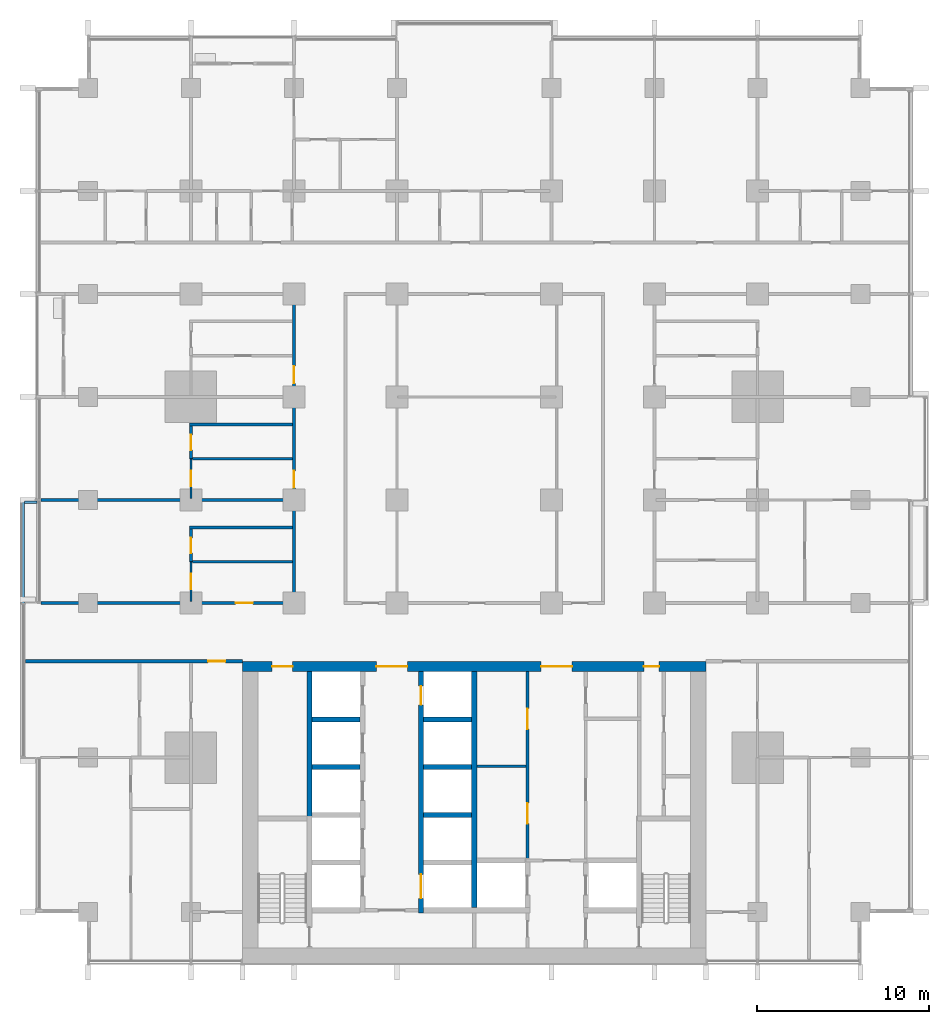
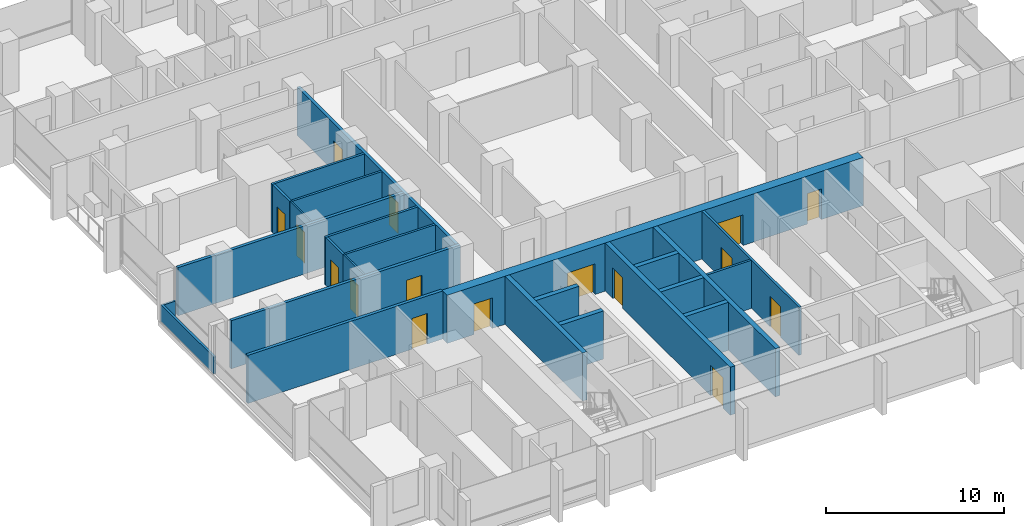
# One storey, part 8 of 17: 25 walls, 16 doors, 16 openings.
"""IFC4 building model written with IfcOpenShell, lengths in metres."""

from ifc_helpers import new_model, si_unit, direction, frame, frame_2d, origin, place, context, subcontext, project, spatial, rectangle, extrude, material, layer, layer_set, type_object, element, fill, save


model = new_model("IFC4")

# Units and contexts
model_context = context("Model", 3, precision=1e-05, world=origin(), true_north=direction((0.0, 1.0)))
body_context = subcontext(model_context, "Body", "Model", "MODEL_VIEW")
ifc_project = project(units=[si_unit("LENGTHUNIT", "METRE"), si_unit("AREAUNIT", "SQUARE_METRE"), si_unit("VOLUMEUNIT", "CUBIC_METRE"), si_unit("PLANEANGLEUNIT", "RADIAN"), si_unit("MASSUNIT", "GRAM", prefix="KILO")], contexts=[model_context])

# Site, building, storey
site_placement = place(None, origin())
site = spatial("IfcSite", under=ifc_project, at=site_placement, CompositionType="ELEMENT")
building_placement = place(site_placement, origin())
building = spatial("IfcBuilding", under=site, at=building_placement, Name="Finial Court Residences", CompositionType="ELEMENT")
storey_placement = place(building_placement, frame((0.0, 0.0, 61.300048828125)))
storey = spatial("IfcBuildingStorey", under=building, at=storey_placement, Name="L14", CompositionType="ELEMENT", Elevation=61.300048828125)

# Wall
ifc_material_1 = material(Name="Gypsum board")
ifc_layer_1 = layer(ifc_material_1, 0.02490234375)
ifc_material_2 = material(Name="Acoustic mineral wool in double frame")
ifc_layer_2 = layer(ifc_material_2, 0.14990234375)
ifc_layer_3 = layer(ifc_material_1, 0.02490234375)
ifc_layer_set_1 = layer_set([ifc_layer_1, ifc_layer_2, ifc_layer_3], Name="Acoustic party wall 200, 1 hour")
wall_type_1 = type_object("IfcWallType", Name="Acoustic party wall 200, 1 hour", PredefinedType="PARTITIONING", material=ifc_layer_set_1)
wall_1_placement = place(storey_placement, frame((-25.25, 1.5, 0.0), z_axis=(0.0, 0.0, 1.0), x_axis=(1.0, 0.0, 0.0)))
element("IfcWall", 1, at=wall_1_placement, inside=storey, type_object=wall_type_1, Name="Partition L14-016", PredefinedType="PARTITIONING", context=body_context, shape_type="SweptSolid", body=[
    extrude(rectangle(XDim=14.64990234375, YDim=0.199951171875, at=frame_2d((7.324951171875, 0.0))), origin(), (0.0, 0.0, 1.0), 3.300048828125),
])

# Wall, openings, doors
ifc_material_3 = material(Name="Concrete C80/95", Category="concrete")
ifc_layer_4 = layer(ifc_material_3, 0.60009765625)
ifc_layer_set_2 = layer_set([ifc_layer_4], Name="Core outer wall 600 Concrete C80/95")
wall_type_2 = type_object("IfcWallType", Name="Core outer wall 600 Concrete C80/95", PredefinedType="SHEAR", material=ifc_layer_set_2)
wall_2_placement = place(storey_placement, frame((-13.5, -8.199951171875, 0.0), z_axis=(0.0, 0.0, 1.0), x_axis=(1.0, 0.0, 0.0)))
wall_2 = element("IfcWall", 2, at=wall_2_placement, inside=storey, type_object=wall_type_2, Name="Core outer wall L14-02", PredefinedType="SHEAR", context=body_context, shape_type="SweptSolid", body=[
    extrude(rectangle(XDim=27.0, YDim=0.60009765625, at=frame_2d((13.5, 0.0))), origin(), (0.0, 0.0, 1.0), 3.300048828125),
])
opening_1_placement = place(wall_2_placement, frame((7.800048828125, 0.0, 0.0)))
opening_1 = element("IfcOpeningElement", 3, at=opening_1_placement, cuts=wall_2, Name="Opening L14-C04", PredefinedType="OPENING", context=body_context, shape_type="SweptSolid", body=[
    extrude(rectangle(XDim=1.800048828125, YDim=2.10009765625, at=frame_2d((0.89990234375, 1.050048828125))), frame((0.0, 0.31005859375, 0.0), z_axis=(0.0, -1.0, 0.0), x_axis=(1.0, 0.0, 0.0)), (0.0, 0.0, 1.0), 0.6201171875),
])
opening_2_placement = place(wall_2_placement, frame((17.39990234375, 0.0, 0.0)))
opening_2 = element("IfcOpeningElement", 4, at=opening_2_placement, cuts=wall_2, Name="Opening L14-C05", PredefinedType="OPENING", context=body_context, shape_type="SweptSolid", body=[
    extrude(rectangle(XDim=1.800048828125, YDim=2.10009765625, at=frame_2d((0.89990234375, 1.050048828125))), frame((0.0, 0.31005859375, 0.0), z_axis=(0.0, -1.0, 0.0), x_axis=(1.0, 0.0, 0.0)), (0.0, 0.0, 1.0), 0.6201171875),
])
opening_3_placement = place(wall_2_placement, frame((1.72509765625, 0.0, 0.0)))
opening_3 = element("IfcOpeningElement", 5, at=opening_3_placement, cuts=wall_2, Name="Opening L14-C09", PredefinedType="OPENING", context=body_context, shape_type="SweptSolid", body=[
    extrude(rectangle(XDim=1.199951171875, YDim=2.10009765625, at=frame_2d((0.60009765625, 1.050048828125))), frame((0.0, 0.31005859375, 0.0), z_axis=(0.0, -1.0, 0.0), x_axis=(1.0, 0.0, 0.0)), (0.0, 0.0, 1.0), 0.6201171875),
])
opening_4_placement = place(wall_2_placement, frame((23.375, 0.0, 0.0)))
opening_4 = element("IfcOpeningElement", 6, at=opening_4_placement, cuts=wall_2, Name="Opening L14-C10", PredefinedType="OPENING", context=body_context, shape_type="SweptSolid", body=[
    extrude(rectangle(XDim=0.89990234375, YDim=2.10009765625, at=frame_2d((0.449951171875, 1.050048828125))), frame((0.0, 0.31005859375, 0.0), z_axis=(0.0, -1.0, 0.0), x_axis=(1.0, 0.0, 0.0)), (0.0, 0.0, 1.0), 0.6201171875),
])
ifc_material_4 = material(Name="Steel fire door", Category="steel")
door_type_1 = type_object("IfcDoorType", Name="Lift lobby door 1800 x 2100 EI 60", OperationType="DOUBLE_DOOR_SINGLE_SWING", PredefinedType="DOOR", material=ifc_material_4)
door_1_placement = place(opening_1_placement, origin())
door_1 = element("IfcDoor", 7, at=door_1_placement, inside=storey, type_object=door_type_1, Name="Lift lobby door L14-C04", OperationType="DOUBLE_DOOR_SINGLE_SWING", OverallHeight=2.10009765625, OverallWidth=1.800048828125, PredefinedType="DOOR", context=body_context, shape_type="SweptSolid", body=[
    extrude(rectangle(XDim=1.800048828125, YDim=2.10009765625, at=frame_2d((0.89990234375, 1.050048828125))), frame((0.0, 0.02490234375, 0.0), z_axis=(0.0, -1.0, 0.0), x_axis=(1.0, 0.0, 0.0)), (0.0, 0.0, 1.0), 0.050048828125),
])
fill(opening_1, door_1)
door_2_placement = place(opening_2_placement, origin())
door_2 = element("IfcDoor", 8, at=door_2_placement, inside=storey, type_object=door_type_1, Name="Lift lobby door L14-C05", OperationType="DOUBLE_DOOR_SINGLE_SWING", OverallHeight=2.10009765625, OverallWidth=1.800048828125, PredefinedType="DOOR", context=body_context, shape_type="SweptSolid", body=[
    extrude(rectangle(XDim=1.800048828125, YDim=2.10009765625, at=frame_2d((0.89990234375, 1.050048828125))), frame((0.0, 0.02490234375, 0.0), z_axis=(0.0, -1.0, 0.0), x_axis=(1.0, 0.0, 0.0)), (0.0, 0.0, 1.0), 0.050048828125),
])
fill(opening_2, door_2)
door_type_2 = type_object("IfcDoorType", Name="Riser room door 1200 x 2100 EI 90", OperationType="NOTDEFINED", PredefinedType="DOOR", material=ifc_material_4)
door_3_placement = place(opening_3_placement, origin())
door_3 = element("IfcDoor", 9, at=door_3_placement, inside=storey, type_object=door_type_2, Name="Riser room door L14-C09", OperationType="SINGLE_SWING_LEFT", OverallHeight=2.10009765625, OverallWidth=1.199951171875, PredefinedType="DOOR", context=body_context, shape_type="SweptSolid", body=[
    extrude(rectangle(XDim=1.199951171875, YDim=2.10009765625, at=frame_2d((0.60009765625, 1.050048828125))), frame((0.0, 0.02490234375, 0.0), z_axis=(0.0, -1.0, 0.0), x_axis=(1.0, 0.0, 0.0)), (0.0, 0.0, 1.0), 0.050048828125),
])
fill(opening_3, door_3)
door_type_3 = type_object("IfcDoorType", Name="Riser room door 900 x 2100 EI 90", OperationType="NOTDEFINED", PredefinedType="DOOR", material=ifc_material_4)
door_4_placement = place(opening_4_placement, origin())
door_4 = element("IfcDoor", 10, at=door_4_placement, inside=storey, type_object=door_type_3, Name="Riser room door L14-C10", OperationType="SINGLE_SWING_LEFT", OverallHeight=2.10009765625, OverallWidth=0.89990234375, PredefinedType="DOOR", context=body_context, shape_type="SweptSolid", body=[
    extrude(rectangle(XDim=0.89990234375, YDim=2.10009765625, at=frame_2d((0.449951171875, 1.050048828125))), frame((0.0, 0.02490234375, 0.0), z_axis=(0.0, -1.0, 0.0), x_axis=(1.0, 0.0, 0.0)), (0.0, 0.0, 1.0), 0.050048828125),
])
fill(opening_4, door_4)

# Wall
ifc_material_5 = material(Name="Fire-rated gypsum board partition")
ifc_layer_5 = layer(ifc_material_5, 0.14990234375)
ifc_layer_set_3 = layer_set([ifc_layer_5], Name="Core room partition 150 EI 60")
wall_type_3 = type_object("IfcWallType", Name="Core room partition 150 EI 60", PredefinedType="PARTITIONING", material=ifc_layer_set_3)
wall_3_placement = place(storey_placement, frame((0.14990234375, -14.0, 0.0), z_axis=(0.0, 0.0, 1.0), x_axis=(1.0, 0.0, 0.0)))
element("IfcWall", 11, at=wall_3_placement, inside=storey, type_object=wall_type_3, Name="Core partition L14-17", PredefinedType="PARTITIONING", context=body_context, shape_type="SweptSolid", body=[
    extrude(rectangle(XDim=2.875, YDim=0.14990234375, at=frame_2d((1.4375, 0.0))), origin(), (0.0, 0.0, 1.0), 3.300048828125),
])

# Wall, openings, doors
wall_4_placement = place(storey_placement, frame((3.10009765625, -19.39990234375, 0.0), z_axis=(0.0, 0.0, 1.0), x_axis=(0.0, 1.0, 0.0)))
wall_4 = element("IfcWall", 12, at=wall_4_placement, inside=storey, type_object=wall_type_3, Name="Core partition L14-29", PredefinedType="PARTITIONING", context=body_context, shape_type="SweptSolid", body=[
    extrude(rectangle(XDim=10.89990234375, YDim=0.14990234375, at=frame_2d((5.449951171875, 0.0))), origin(), (0.0, 0.0, 1.0), 3.300048828125),
])
opening_5_placement = place(wall_4_placement, frame((2.050048828125, 0.0, 0.0)))
opening_5 = element("IfcOpeningElement", 13, at=opening_5_placement, cuts=wall_4, Name="Opening L14-C12", PredefinedType="OPENING", context=body_context, shape_type="SweptSolid", body=[
    extrude(rectangle(XDim=1.199951171875, YDim=2.10009765625, at=frame_2d((0.60009765625, 1.050048828125))), frame((0.0, 0.0849609375, 0.0), z_axis=(0.0, -1.0, 0.0), x_axis=(1.0, 0.0, 0.0)), (0.0, 0.0, 1.0), 0.169921875),
])
opening_6_placement = place(wall_4_placement, frame((7.550048828125, 0.0, 0.0)))
opening_6 = element("IfcOpeningElement", 14, at=opening_6_placement, cuts=wall_4, Name="Opening L14-C13", PredefinedType="OPENING", context=body_context, shape_type="SweptSolid", body=[
    extrude(rectangle(XDim=1.199951171875, YDim=2.10009765625, at=frame_2d((0.60009765625, 1.050048828125))), frame((0.0, 0.0849609375, 0.0), z_axis=(0.0, -1.0, 0.0), x_axis=(1.0, 0.0, 0.0)), (0.0, 0.0, 1.0), 0.169921875),
])
door_type_4 = type_object("IfcDoorType", Name="Core room door 1200 x 2100 EI 60", OperationType="NOTDEFINED", PredefinedType="DOOR", material=ifc_material_4)
door_5_placement = place(opening_5_placement, origin())
door_5 = element("IfcDoor", 15, at=door_5_placement, inside=storey, type_object=door_type_4, Name="Core room door L14-C12", OperationType="SINGLE_SWING_LEFT", OverallHeight=2.10009765625, OverallWidth=1.199951171875, PredefinedType="DOOR", context=body_context, shape_type="SweptSolid", body=[
    extrude(rectangle(XDim=1.199951171875, YDim=2.10009765625, at=frame_2d((0.60009765625, 1.050048828125))), frame((0.0, 0.02490234375, 0.0), z_axis=(0.0, -1.0, 0.0), x_axis=(1.0, 0.0, 0.0)), (0.0, 0.0, 1.0), 0.050048828125),
])
fill(opening_5, door_5)
door_6_placement = place(opening_6_placement, origin())
door_6 = element("IfcDoor", 16, at=door_6_placement, inside=storey, type_object=door_type_4, Name="Core room door L14-C13", OperationType="SINGLE_SWING_LEFT", OverallHeight=2.10009765625, OverallWidth=1.199951171875, PredefinedType="DOOR", context=body_context, shape_type="SweptSolid", body=[
    extrude(rectangle(XDim=1.199951171875, YDim=2.10009765625, at=frame_2d((0.60009765625, 1.050048828125))), frame((0.0, 0.02490234375, 0.0), z_axis=(0.0, -1.0, 0.0), x_axis=(1.0, 0.0, 0.0)), (0.0, 0.0, 1.0), 0.050048828125),
])
fill(opening_6, door_6)

# Wall, opening, door
ifc_layer_6 = layer(ifc_material_1, 0.02490234375)
ifc_layer_7 = layer(ifc_material_2, 0.14990234375)
ifc_layer_8 = layer(ifc_material_1, 0.02490234375)
ifc_layer_set_4 = layer_set([ifc_layer_6, ifc_layer_7, ifc_layer_8], Name="Corridor wall 200, 1 hour")
wall_type_4 = type_object("IfcWallType", Name="Corridor wall 200, 1 hour", PredefinedType="PARTITIONING", material=ifc_layer_set_4)
wall_5_placement = place(storey_placement, frame((-26.14990234375, -7.89990234375, 0.0), z_axis=(0.0, 0.0, 1.0), x_axis=(1.0, 0.0, 0.0)))
wall_5 = element("IfcWall", 17, at=wall_5_placement, inside=storey, type_object=wall_type_4, Name="Partition L14-007", PredefinedType="PARTITIONING", context=body_context, shape_type="SweptSolid", body=[
    extrude(rectangle(XDim=12.64990234375, YDim=0.199951171875, at=frame_2d((6.324951171875, 0.0))), origin(), (0.0, 0.0, 1.0), 3.300048828125),
])
opening_7_placement = place(wall_5_placement, frame((10.64990234375, 0.0, 0.0)))
opening_7 = element("IfcOpeningElement", 18, at=opening_7_placement, cuts=wall_5, Name="Opening L14-D005", PredefinedType="OPENING", context=body_context, shape_type="SweptSolid", body=[
    extrude(rectangle(XDim=1.0, YDim=2.10009765625, at=frame_2d((0.5, 1.050048828125))), frame((0.0, 0.10986328125, 0.0), z_axis=(0.0, -1.0, 0.0), x_axis=(1.0, 0.0, 0.0)), (0.0, 0.0, 1.0), 0.219970703125),
])
ifc_material_6 = material(Name="Timber door leaf in hollow metal frame", Category="wood")
door_type_5 = type_object("IfcDoorType", Name="Fire door set 1000 x 2100, 30 minutes", OperationType="SINGLE_SWING_LEFT", PredefinedType="DOOR", material=ifc_material_6)
door_7_placement = place(opening_7_placement, origin())
door_7 = element("IfcDoor", 19, at=door_7_placement, inside=storey, type_object=door_type_5, Name="Door L14-D005", OperationType="SINGLE_SWING_RIGHT", OverallHeight=2.10009765625, OverallWidth=1.0, PredefinedType="DOOR", context=body_context, shape_type="SweptSolid", body=[
    extrude(rectangle(XDim=1.0, YDim=2.10009765625, at=frame_2d((0.5, 1.050048828125))), frame((0.0, 0.02490234375, 0.0), z_axis=(0.0, -1.0, 0.0), x_axis=(1.0, 0.0, 0.0)), (0.0, 0.0, 1.0), 0.050048828125),
])
fill(opening_7, door_7)

wall_6_placement = place(storey_placement, frame((-25.25, -4.5, 0.0), z_axis=(0.0, 0.0, 1.0), x_axis=(1.0, 0.0, 0.0)))
wall_6 = element("IfcWall", 20, at=wall_6_placement, inside=storey, type_object=wall_type_4, Name="Partition L14-009", PredefinedType="PARTITIONING", context=body_context, shape_type="SweptSolid", body=[
    extrude(rectangle(XDim=14.85009765625, YDim=0.199951171875, at=frame_2d((7.425048828125, 0.0))), origin(), (0.0, 0.0, 1.0), 3.300048828125),
])
opening_8_placement = place(wall_6_placement, frame((11.35009765625, 0.0, 0.0)))
opening_8 = element("IfcOpeningElement", 21, at=opening_8_placement, cuts=wall_6, Name="Opening L14-D007", PredefinedType="OPENING", context=body_context, shape_type="SweptSolid", body=[
    extrude(rectangle(XDim=1.0, YDim=2.10009765625, at=frame_2d((0.5, 1.050048828125))), frame((0.0, 0.10986328125, 0.0), z_axis=(0.0, -1.0, 0.0), x_axis=(1.0, 0.0, 0.0)), (0.0, 0.0, 1.0), 0.219970703125),
])
door_8_placement = place(opening_8_placement, origin())
door_8 = element("IfcDoor", 22, at=door_8_placement, inside=storey, type_object=door_type_5, Name="Door L14-D007", OperationType="SINGLE_SWING_LEFT", OverallHeight=2.10009765625, OverallWidth=1.0, PredefinedType="DOOR", context=body_context, shape_type="SweptSolid", body=[
    extrude(rectangle(XDim=1.0, YDim=2.10009765625, at=frame_2d((0.5, 1.050048828125))), frame((0.0, 0.02490234375, 0.0), z_axis=(0.0, -1.0, 0.0), x_axis=(1.0, 0.0, 0.0)), (0.0, 0.0, 1.0), 0.050048828125),
])
fill(opening_8, door_8)

# Wall, openings, doors
wall_7_placement = place(storey_placement, frame((-10.5, -4.39990234375, 0.0), z_axis=(0.0, 0.0, 1.0), x_axis=(0.0, 1.0, 0.0)))
wall_7 = element("IfcWall", 23, at=wall_7_placement, inside=storey, type_object=wall_type_4, Name="Partition L14-063", PredefinedType="PARTITIONING", context=body_context, shape_type="SweptSolid", body=[
    extrude(rectangle(XDim=17.7998046875, YDim=0.199951171875, at=frame_2d((8.89990234375, 0.0))), origin(), (0.0, 0.0, 1.0), 3.300048828125),
])
opening_9_placement = place(wall_7_placement, frame((6.60009765625, 0.0, 0.0)))
opening_9 = element("IfcOpeningElement", 24, at=opening_9_placement, cuts=wall_7, Name="Opening L14-D046", PredefinedType="OPENING", context=body_context, shape_type="SweptSolid", body=[
    extrude(rectangle(XDim=1.0, YDim=2.10009765625, at=frame_2d((0.5, 1.050048828125))), frame((0.0, 0.10986328125, 0.0), z_axis=(0.0, -1.0, 0.0), x_axis=(1.0, 0.0, 0.0)), (0.0, 0.0, 1.0), 0.219970703125),
])
opening_10_placement = place(wall_7_placement, frame((12.699951171875, 0.0, 0.0)))
opening_10 = element("IfcOpeningElement", 25, at=opening_10_placement, cuts=wall_7, Name="Opening L14-D047", PredefinedType="OPENING", context=body_context, shape_type="SweptSolid", body=[
    extrude(rectangle(XDim=1.0, YDim=2.10009765625, at=frame_2d((0.5, 1.050048828125))), frame((0.0, 0.10986328125, 0.0), z_axis=(0.0, -1.0, 0.0), x_axis=(1.0, 0.0, 0.0)), (0.0, 0.0, 1.0), 0.219970703125),
])
door_9_placement = place(opening_9_placement, origin())
door_9 = element("IfcDoor", 26, at=door_9_placement, inside=storey, type_object=door_type_5, Name="Door L14-D046", OperationType="SINGLE_SWING_RIGHT", OverallHeight=2.10009765625, OverallWidth=1.0, PredefinedType="DOOR", context=body_context, shape_type="SweptSolid", body=[
    extrude(rectangle(XDim=1.0, YDim=2.10009765625, at=frame_2d((0.5, 1.050048828125))), frame((0.0, 0.02490234375, 0.0), z_axis=(0.0, -1.0, 0.0), x_axis=(1.0, 0.0, 0.0)), (0.0, 0.0, 1.0), 0.050048828125),
])
fill(opening_9, door_9)
door_10_placement = place(opening_10_placement, origin())
door_10 = element("IfcDoor", 27, at=door_10_placement, inside=storey, type_object=door_type_5, Name="Door L14-D047", OperationType="SINGLE_SWING_LEFT", OverallHeight=2.10009765625, OverallWidth=1.0, PredefinedType="DOOR", context=body_context, shape_type="SweptSolid", body=[
    extrude(rectangle(XDim=1.0, YDim=2.10009765625, at=frame_2d((0.5, 1.050048828125))), frame((0.0, 0.02490234375, 0.0), z_axis=(0.0, -1.0, 0.0), x_axis=(1.0, 0.0, 0.0)), (0.0, 0.0, 1.0), 0.050048828125),
])
fill(opening_10, door_10)

# Wall, opening, door
ifc_layer_9 = layer(ifc_material_1, 0.012451171875)
ifc_material_7 = material(Name="Mineral wool in light-gauge frame")
ifc_layer_10 = layer(ifc_material_7, 0.074951171875)
ifc_layer_11 = layer(ifc_material_1, 0.012451171875)
ifc_layer_set_5 = layer_set([ifc_layer_9, ifc_layer_10, ifc_layer_11], Name="Gypsum board partition 100")
wall_type_5 = type_object("IfcWallType", Name="Gypsum board partition 100", PredefinedType="PARTITIONING", material=ifc_layer_set_5)
wall_8_placement = place(storey_placement, frame((-16.5, -4.39990234375, 0.0), z_axis=(0.0, 0.0, 1.0), x_axis=(0.0, 1.0, 0.0)))
wall_8 = element("IfcWall", 28, at=wall_8_placement, inside=storey, type_object=wall_type_5, Name="Partition L14-050", PredefinedType="PARTITIONING", context=body_context, shape_type="SweptSolid", body=[
    extrude(rectangle(XDim=2.2998046875, YDim=0.10009765625, at=frame_2d((1.14990234375, 0.0))), origin(), (0.0, 0.0, 1.0), 3.300048828125),
])
opening_11_placement = place(wall_8_placement, frame((0.699951171875, 0.0, 0.0)))
opening_11 = element("IfcOpeningElement", 29, at=opening_11_placement, cuts=wall_8, Name="Opening L14-D037", PredefinedType="OPENING", context=body_context, shape_type="SweptSolid", body=[
    extrude(rectangle(XDim=0.89990234375, YDim=2.10009765625, at=frame_2d((0.449951171875, 1.050048828125))), frame((0.0, 0.06005859375, 0.0), z_axis=(0.0, -1.0, 0.0), x_axis=(1.0, 0.0, 0.0)), (0.0, 0.0, 1.0), 0.1201171875),
])
ifc_material_8 = material(Name="Timber door leaf in timber frame", Category="wood")
door_type_6 = type_object("IfcDoorType", Name="Door set 900 x 2100", OperationType="SINGLE_SWING_LEFT", PredefinedType="DOOR", material=ifc_material_8)
door_11_placement = place(opening_11_placement, origin())
door_11 = element("IfcDoor", 30, at=door_11_placement, inside=storey, type_object=door_type_6, Name="Door L14-D037", OperationType="SINGLE_SWING_RIGHT", OverallHeight=2.10009765625, OverallWidth=0.89990234375, PredefinedType="DOOR", context=body_context, shape_type="SweptSolid", body=[
    extrude(rectangle(XDim=0.89990234375, YDim=2.10009765625, at=frame_2d((0.449951171875, 1.050048828125))), frame((0.0, 0.02490234375, 0.0), z_axis=(0.0, -1.0, 0.0), x_axis=(1.0, 0.0, 0.0)), (0.0, 0.0, 1.0), 0.050048828125),
])
fill(opening_11, door_11)

wall_9_placement = place(storey_placement, frame((-16.5, 1.60009765625, 0.0), z_axis=(0.0, 0.0, 1.0), x_axis=(0.0, 1.0, 0.0)))
wall_9 = element("IfcWall", 31, at=wall_9_placement, inside=storey, type_object=wall_type_5, Name="Partition L14-051", PredefinedType="PARTITIONING", context=body_context, shape_type="SweptSolid", body=[
    extrude(rectangle(XDim=2.2998046875, YDim=0.10009765625, at=frame_2d((1.14990234375, 0.0))), origin(), (0.0, 0.0, 1.0), 3.300048828125),
])
opening_12_placement = place(wall_9_placement, frame((0.699951171875, 0.0, 0.0)))
opening_12 = element("IfcOpeningElement", 32, at=opening_12_placement, cuts=wall_9, Name="Opening L14-D038", PredefinedType="OPENING", context=body_context, shape_type="SweptSolid", body=[
    extrude(rectangle(XDim=0.89990234375, YDim=2.10009765625, at=frame_2d((0.449951171875, 1.050048828125))), frame((0.0, 0.06005859375, 0.0), z_axis=(0.0, -1.0, 0.0), x_axis=(1.0, 0.0, 0.0)), (0.0, 0.0, 1.0), 0.1201171875),
])
door_12_placement = place(opening_12_placement, origin())
door_12 = element("IfcDoor", 33, at=door_12_placement, inside=storey, type_object=door_type_6, Name="Door L14-D038", OperationType="SINGLE_SWING_RIGHT", OverallHeight=2.10009765625, OverallWidth=0.89990234375, PredefinedType="DOOR", context=body_context, shape_type="SweptSolid", body=[
    extrude(rectangle(XDim=0.89990234375, YDim=2.10009765625, at=frame_2d((0.449951171875, 1.050048828125))), frame((0.0, 0.02490234375, 0.0), z_axis=(0.0, -1.0, 0.0), x_axis=(1.0, 0.0, 0.0)), (0.0, 0.0, 1.0), 0.050048828125),
])
fill(opening_12, door_12)

# Walls
ifc_material_9 = material(Name="Moisture-resistant gypsum board")
ifc_layer_12 = layer(ifc_material_9, 0.012451171875)
ifc_layer_13 = layer(ifc_material_7, 0.125)
ifc_layer_14 = layer(ifc_material_9, 0.012451171875)
ifc_layer_set_6 = layer_set([ifc_layer_12, ifc_layer_13, ifc_layer_14], Name="Gypsum board wet-area partition 150")
wall_type_6 = type_object("IfcWallType", Name="Gypsum board wet-area partition 150", PredefinedType="PARTITIONING", material=ifc_layer_set_6)
wall_10_placement = place(storey_placement, frame((-16.425048828125, -2.10009765625, 0.0), z_axis=(0.0, 0.0, 1.0), x_axis=(1.0, 0.0, 0.0)))
element("IfcWall", 34, at=wall_10_placement, inside=storey, type_object=wall_type_6, Name="Partition L14-012", PredefinedType="PARTITIONING", context=body_context, shape_type="SweptSolid", body=[
    extrude(rectangle(XDim=5.824951171875, YDim=0.14990234375, at=frame_2d((2.91259765625, 0.0))), origin(), (0.0, 0.0, 1.0), 3.300048828125),
])
wall_11_placement = place(storey_placement, frame((-16.574951171875, -0.10009765625, 0.0), z_axis=(0.0, 0.0, 1.0), x_axis=(1.0, 0.0, 0.0)))
element("IfcWall", 35, at=wall_11_placement, inside=storey, type_object=wall_type_6, Name="Partition L14-014", PredefinedType="PARTITIONING", context=body_context, shape_type="SweptSolid", body=[
    extrude(rectangle(XDim=5.974853515625, YDim=0.14990234375, at=frame_2d((2.9873046875, 0.0))), origin(), (0.0, 0.0, 1.0), 3.300048828125),
])
wall_12_placement = place(storey_placement, frame((-16.425048828125, 3.89990234375, 0.0), z_axis=(0.0, 0.0, 1.0), x_axis=(1.0, 0.0, 0.0)))
element("IfcWall", 36, at=wall_12_placement, inside=storey, type_object=wall_type_6, Name="Partition L14-018", PredefinedType="PARTITIONING", context=body_context, shape_type="SweptSolid", body=[
    extrude(rectangle(XDim=5.824951171875, YDim=0.14990234375, at=frame_2d((2.91259765625, 0.0))), origin(), (0.0, 0.0, 1.0), 3.300048828125),
])
wall_13_placement = place(storey_placement, frame((-16.574951171875, 5.89990234375, 0.0), z_axis=(0.0, 0.0, 1.0), x_axis=(1.0, 0.0, 0.0)))
element("IfcWall", 37, at=wall_13_placement, inside=storey, type_object=wall_type_6, Name="Partition L14-020", PredefinedType="PARTITIONING", context=body_context, shape_type="SweptSolid", body=[
    extrude(rectangle(XDim=5.974853515625, YDim=0.14990234375, at=frame_2d((2.9873046875, 0.0))), origin(), (0.0, 0.0, 1.0), 3.300048828125),
])

# Wall, opening, door
wall_14_placement = place(storey_placement, frame((-16.5, -2.10009765625, 0.0), z_axis=(0.0, 0.0, 1.0), x_axis=(0.0, 1.0, 0.0)))
wall_14 = element("IfcWall", 38, at=wall_14_placement, inside=storey, type_object=wall_type_6, Name="Partition L14-057", PredefinedType="PARTITIONING", context=body_context, shape_type="SweptSolid", body=[
    extrude(rectangle(XDim=1.925048828125, YDim=0.14990234375, at=frame_2d((0.96240234375, 0.0))), origin(), (0.0, 0.0, 1.0), 3.300048828125),
])
opening_13_placement = place(wall_14_placement, frame((0.5, 0.0, 0.0)))
opening_13 = element("IfcOpeningElement", 39, at=opening_13_placement, cuts=wall_14, Name="Opening L14-D040", PredefinedType="OPENING", context=body_context, shape_type="SweptSolid", body=[
    extrude(rectangle(XDim=0.89990234375, YDim=2.10009765625, at=frame_2d((0.449951171875, 1.050048828125))), frame((0.0, 0.0849609375, 0.0), z_axis=(0.0, -1.0, 0.0), x_axis=(1.0, 0.0, 0.0)), (0.0, 0.0, 1.0), 0.169921875),
])
door_13_placement = place(opening_13_placement, origin())
door_13 = element("IfcDoor", 40, at=door_13_placement, inside=storey, type_object=door_type_6, Name="Door L14-D040", OperationType="SINGLE_SWING_LEFT", OverallHeight=2.10009765625, OverallWidth=0.89990234375, PredefinedType="DOOR", context=body_context, shape_type="SweptSolid", body=[
    extrude(rectangle(XDim=0.89990234375, YDim=2.10009765625, at=frame_2d((0.449951171875, 1.050048828125))), frame((0.0, 0.02490234375, 0.0), z_axis=(0.0, -1.0, 0.0), x_axis=(1.0, 0.0, 0.0)), (0.0, 0.0, 1.0), 0.050048828125),
])
fill(opening_13, door_13)

wall_15_placement = place(storey_placement, frame((-16.5, 3.89990234375, 0.0), z_axis=(0.0, 0.0, 1.0), x_axis=(0.0, 1.0, 0.0)))
wall_15 = element("IfcWall", 41, at=wall_15_placement, inside=storey, type_object=wall_type_6, Name="Partition L14-058", PredefinedType="PARTITIONING", context=body_context, shape_type="SweptSolid", body=[
    extrude(rectangle(XDim=1.925048828125, YDim=0.14990234375, at=frame_2d((0.96240234375, 0.0))), origin(), (0.0, 0.0, 1.0), 3.300048828125),
])
opening_14_placement = place(wall_15_placement, frame((0.5, 0.0, 0.0)))
opening_14 = element("IfcOpeningElement", 42, at=opening_14_placement, cuts=wall_15, Name="Opening L14-D041", PredefinedType="OPENING", context=body_context, shape_type="SweptSolid", body=[
    extrude(rectangle(XDim=0.89990234375, YDim=2.10009765625, at=frame_2d((0.449951171875, 1.050048828125))), frame((0.0, 0.0849609375, 0.0), z_axis=(0.0, -1.0, 0.0), x_axis=(1.0, 0.0, 0.0)), (0.0, 0.0, 1.0), 0.169921875),
])
door_14_placement = place(opening_14_placement, origin())
door_14 = element("IfcDoor", 43, at=door_14_placement, inside=storey, type_object=door_type_6, Name="Door L14-D041", OperationType="SINGLE_SWING_RIGHT", OverallHeight=2.10009765625, OverallWidth=0.89990234375, PredefinedType="DOOR", context=body_context, shape_type="SweptSolid", body=[
    extrude(rectangle(XDim=0.89990234375, YDim=2.10009765625, at=frame_2d((0.449951171875, 1.050048828125))), frame((0.0, 0.02490234375, 0.0), z_axis=(0.0, -1.0, 0.0), x_axis=(1.0, 0.0, 0.0)), (0.0, 0.0, 1.0), 0.050048828125),
])
fill(opening_14, door_14)

# Walls
ifc_material_10 = material(Name="Concrete C35/45", Category="concrete")
ifc_layer_15 = layer(ifc_material_10, 0.14990234375)
ifc_layer_set_7 = layer_set([ifc_layer_15], Name="Ledge parapet, Concrete C35/45 150")
wall_type_7 = type_object("IfcWallType", Name="Ledge parapet, Concrete C35/45 150", PredefinedType="PARAPET", material=ifc_layer_set_7)
wall_16_placement = place(storey_placement, frame((-26.27490234375, -4.5400390625, 0.0), z_axis=(0.0, 0.0, 1.0), x_axis=(0.0, 1.0, 0.0)))
element("IfcWall", 44, at=wall_16_placement, inside=storey, type_object=wall_type_7, Name="E-L14-LED2-P1", PredefinedType="PARAPET", context=body_context, shape_type="SweptSolid", body=[
    extrude(rectangle(XDim=5.989990234375, YDim=0.14990234375, at=frame_2d((2.9951171875, 0.0))), origin(), (0.0, 0.0, 1.0), 1.14990234375),
])
wall_17_placement = place(storey_placement, frame((-26.199951171875, 1.375, 0.0), z_axis=(0.0, 0.0, 1.0), x_axis=(1.0, 0.0, 0.0)))
element("IfcWall", 45, at=wall_17_placement, inside=storey, type_object=wall_type_7, Name="E-L14-LED2-P2", PredefinedType="PARAPET", context=body_context, shape_type="SweptSolid", body=[
    extrude(rectangle(XDim=0.739990234375, YDim=0.14990234375, at=frame_2d((0.3701171875, 0.0))), origin(), (0.0, 0.0, 1.0), 1.14990234375),
])
ifc_layer_16 = layer(ifc_material_3, 0.300048828125)
ifc_layer_set_8 = layer_set([ifc_layer_16], Name="Lift shaft and stair wall 300 Concrete C80/95")
wall_type_8 = type_object("IfcWallType", Name="Lift shaft and stair wall 300 Concrete C80/95", PredefinedType="SHEAR", material=ifc_layer_set_8)
for number, where, z_axis, x_axis, name in (
    (46, (-2.949951171875, -16.840087890625, 0.0), (0.0, 0.0, 1.0), (1.0, 0.0, 0.0), "Core wall L14-13"),
    (47, (-9.449951171875, -14.06005859375, 0.0), (0.0, 0.0, 1.0), (1.0, 0.0, 0.0), "Core wall L14-15"),
    (48, (-2.949951171875, -14.06005859375, 0.0), (0.0, 0.0, 1.0), (1.0, 0.0, 0.0), "Core wall L14-16"),
    (49, (-9.449951171875, -11.280029296875, 0.0), (0.0, 0.0, 1.0), (1.0, 0.0, 0.0), "Core wall L14-18"),
    (50, (-2.949951171875, -11.280029296875, 0.0), (0.0, 0.0, 1.0), (1.0, 0.0, 0.0), "Core wall L14-19"),
):
    element("IfcWall", number, at=place(storey_placement, frame(where, z_axis=z_axis, x_axis=x_axis)), inside=storey, type_object=wall_type_8, Name=name, PredefinedType="SHEAR", context=body_context, shape_type="SweptSolid", body=[
        extrude(rectangle(XDim=2.800048828125, YDim=0.300048828125, at=frame_2d((1.39990234375, 0.0))), origin(), (0.0, 0.0, 1.0), 3.300048828125),
    ])
wall_18_placement = place(storey_placement, frame((-9.60009765625, -17.199951171875, 0.0), z_axis=(0.0, 0.0, 1.0), x_axis=(0.0, 1.0, 0.0)))
element("IfcWall", 51, at=wall_18_placement, inside=storey, type_object=wall_type_8, Name="Core wall L14-22", PredefinedType="SHEAR", context=body_context, shape_type="SweptSolid", body=[
    extrude(rectangle(XDim=8.699951171875, YDim=0.300048828125, at=frame_2d((4.35009765625, 0.0))), origin(), (0.0, 0.0, 1.0), 3.300048828125),
])

# Wall, openings, doors
wall_19_placement = place(storey_placement, frame((-3.10009765625, -22.550048828125, 0.0), z_axis=(0.0, 0.0, 1.0), x_axis=(0.0, 1.0, 0.0)))
wall_19 = element("IfcWall", 52, at=wall_19_placement, inside=storey, type_object=wall_type_8, Name="Core wall L14-24", PredefinedType="SHEAR", context=body_context, shape_type="SweptSolid", body=[
    extrude(rectangle(XDim=14.050048828125, YDim=0.300048828125, at=frame_2d((7.02490234375, 0.0))), origin(), (0.0, 0.0, 1.0), 3.300048828125),
])
opening_15_placement = place(wall_19_placement, frame((12.110107421875, 0.0, 0.0)))
opening_15 = element("IfcOpeningElement", 53, at=opening_15_placement, cuts=wall_19, Name="Opening L14-LD08", PredefinedType="OPENING", context=body_context, shape_type="SweptSolid", body=[
    extrude(rectangle(XDim=1.10009765625, YDim=2.10009765625, at=frame_2d((0.550048828125, 1.050048828125))), frame((0.0, 0.159912109375, 0.0), z_axis=(0.0, -1.0, 0.0), x_axis=(1.0, 0.0, 0.0)), (0.0, 0.0, 1.0), 0.320068359375),
])
opening_16_placement = place(wall_19_placement, frame((0.840087890625, 0.0, 0.0)))
opening_16 = element("IfcOpeningElement", 54, at=opening_16_placement, cuts=wall_19, Name="Opening L14-LD09", PredefinedType="OPENING", context=body_context, shape_type="SweptSolid", body=[
    extrude(rectangle(XDim=1.39990234375, YDim=2.10009765625, at=frame_2d((0.699951171875, 1.050048828125))), frame((0.0, 0.159912109375, 0.0), z_axis=(0.0, -1.0, 0.0), x_axis=(1.0, 0.0, 0.0)), (0.0, 0.0, 1.0), 0.320068359375),
])
ifc_material_11 = material(Name="Stainless steel lift door", Category="steel")
door_type_7 = type_object("IfcDoorType", Name="Lift landing door 1100 x 2100 EI 90", OperationType="DOUBLE_DOOR_SLIDING", PredefinedType="DOOR", material=ifc_material_11)
door_15_placement = place(opening_15_placement, origin())
door_15 = element("IfcDoor", 55, at=door_15_placement, inside=storey, type_object=door_type_7, Name="Lift landing door LR6 L14", OperationType="DOUBLE_DOOR_SLIDING", OverallHeight=2.10009765625, OverallWidth=1.10009765625, PredefinedType="DOOR", context=body_context, shape_type="SweptSolid", body=[
    extrude(rectangle(XDim=1.10009765625, YDim=2.10009765625, at=frame_2d((0.550048828125, 1.050048828125))), frame((0.0, 0.02490234375, 0.0), z_axis=(0.0, -1.0, 0.0), x_axis=(1.0, 0.0, 0.0)), (0.0, 0.0, 1.0), 0.050048828125),
])
fill(opening_15, door_15)
door_type_8 = type_object("IfcDoorType", Name="Lift landing door 1400 x 2100 EI 90", OperationType="DOUBLE_DOOR_SLIDING", PredefinedType="DOOR", material=ifc_material_11)
door_16_placement = place(opening_16_placement, origin())
door_16 = element("IfcDoor", 56, at=door_16_placement, inside=storey, type_object=door_type_8, Name="Lift landing door SV1 L14", OperationType="DOUBLE_DOOR_SLIDING", OverallHeight=2.10009765625, OverallWidth=1.39990234375, PredefinedType="DOOR", context=body_context, shape_type="SweptSolid", body=[
    extrude(rectangle(XDim=1.39990234375, YDim=2.10009765625, at=frame_2d((0.699951171875, 1.050048828125))), frame((0.0, 0.02490234375, 0.0), z_axis=(0.0, -1.0, 0.0), x_axis=(1.0, 0.0, 0.0)), (0.0, 0.0, 1.0), 0.050048828125),
])
fill(opening_16, door_16)

# Wall
wall_20_placement = place(storey_placement, frame((0.0, -22.25, 0.0), z_axis=(0.0, 0.0, 1.0), x_axis=(0.0, 1.0, 0.0)))
element("IfcWall", 57, at=wall_20_placement, inside=storey, type_object=wall_type_8, Name="Core wall L14-26", PredefinedType="SHEAR", context=body_context, shape_type="SweptSolid", body=[
    extrude(rectangle(XDim=13.75, YDim=0.300048828125, at=frame_2d((6.875, 0.0))), origin(), (0.0, 0.0, 1.0), 3.300048828125),
])

save(model, "model.ifc")
